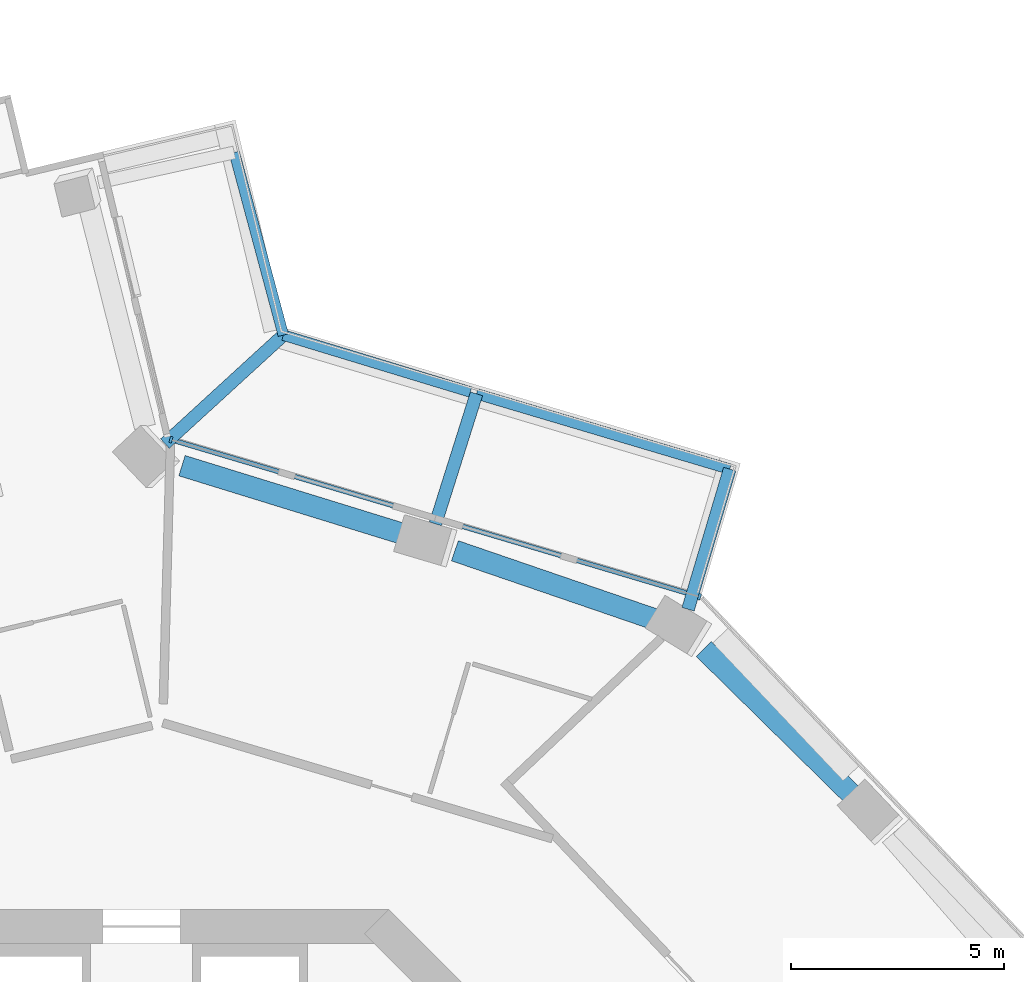
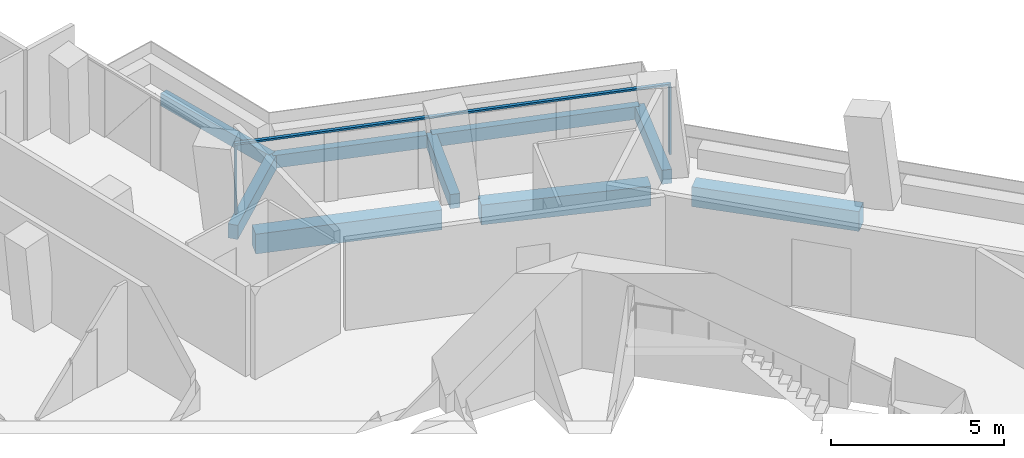
# One storey, part 10 of 27: 9 beams, 3 members, 1 element without a shape of its own.
"""IFC4 building model written with IfcOpenShell, lengths in metres."""

from ifc_helpers import new_model, si_unit, direction, frame, origin, origin_2d, place, context, subcontext, project, spatial, rectangle, extrude, material, layer, layer_set, material_profile, profile_set, type_object, element, aggregate, save


model = new_model("IFC4")

# Units and contexts
model_context = context("Model", 3, precision=1e-05, world=origin(), true_north=direction((0.0, 1.0)))
body_context = subcontext(model_context, "Body", "Model", "MODEL_VIEW")
ifc_project = project(units=[si_unit("LENGTHUNIT", "METRE"), si_unit("AREAUNIT", "SQUARE_METRE"), si_unit("VOLUMEUNIT", "CUBIC_METRE"), si_unit("PLANEANGLEUNIT", "RADIAN"), si_unit("MASSUNIT", "GRAM", prefix="KILO")], contexts=[model_context])

# Site, building, storey
site_placement = place(None, origin())
site = spatial("IfcSite", under=ifc_project, at=site_placement, CompositionType="ELEMENT")
building_placement = place(site_placement, origin())
building = spatial("IfcBuilding", under=site, at=building_placement, Name="Verdalira Terraces Hotel", CompositionType="ELEMENT")
storey_placement = place(building_placement, frame((0.0, 0.0, 89.5)))
storey = spatial("IfcBuildingStorey", under=building, at=storey_placement, Name="L20", CompositionType="ELEMENT", Elevation=89.5)

# Beams
ifc_material_1 = material(Name="Concrete C40", Category="concrete")
ifc_material_profile_1 = material_profile(ifc_material_1, rectangle(XDim=0.300049, YDim=0.5, at=origin_2d()), Name="RC 300X500")
ifc_profile_set_1 = profile_set([ifc_material_profile_1], Name="Concrete C40")
beam_type_1 = type_object("IfcBeamType", Name="Balcony cantilever beam RC 300X500 C40", PredefinedType="BEAM", material=ifc_profile_set_1)
beam_1_placement = place(storey_placement, frame((12.826172, 21.043945, -0.560059), z_axis=(0.285003835, 0.958526376, 0.0), x_axis=(-0.958526376, 0.285003835, 0.0)))
element("IfcBeam", 1, at=beam_1_placement, inside=storey, type_object=beam_type_1, Name="Balcony cantilever beam R41-1", PredefinedType="BEAM", context=body_context, shape_type="SweptSolid", body=[
    extrude(rectangle(XDim=0.300049, YDim=0.5, at=origin_2d()), origin(), (0.0, 0.0, 1.0), 3.431641),
])
beam_2_placement = place(storey_placement, frame((6.897705, 23.048096, -0.560059), z_axis=(0.301062008, 0.953604566, 0.0), x_axis=(-0.953604566, 0.301062008, 0.0)))
element("IfcBeam", 2, at=beam_2_placement, inside=storey, type_object=beam_type_1, Name="Balcony cantilever beam R41-2", PredefinedType="BEAM", context=body_context, shape_type="SweptSolid", body=[
    extrude(rectangle(XDim=0.300049, YDim=0.5, at=origin_2d()), origin(), (0.0, 0.0, 1.0), 3.200684),
])
beam_3_placement = place(storey_placement, frame((0.549072, 24.931641, -0.560059), z_axis=(0.737508885, 0.67533743, 0.0), x_axis=(-0.67533743, 0.737508885, 0.0)))
element("IfcBeam", 3, at=beam_3_placement, inside=storey, type_object=beam_type_1, Name="Balcony cantilever beam R41-3", PredefinedType="BEAM", context=body_context, shape_type="SweptSolid", body=[
    extrude(rectangle(XDim=0.300049, YDim=0.5, at=origin_2d()), origin(), (0.0, 0.0, 1.0), 3.769775),
])
ifc_material_2 = material(Name="Concrete C40", Category="concrete")
ifc_material_profile_2 = material_profile(ifc_material_2, rectangle(XDim=0.25, YDim=0.449951, at=origin_2d()), Name="RC 250X450")
ifc_profile_set_2 = profile_set([ifc_material_profile_2], Name="Concrete C40")
beam_type_2 = type_object("IfcBeamType", Name="Balcony edge beam RC 250X450 C40", PredefinedType="BEAM", material=ifc_profile_set_2)
beam_4_placement = place(storey_placement, frame((13.804199, 24.333252, -0.534912), z_axis=(-0.958523564, 0.285013292, 0.0), x_axis=(-0.285013292, -0.958523564, 0.0)))
element("IfcBeam", 4, at=beam_4_placement, inside=storey, type_object=beam_type_2, Name="Balcony edge beam R41-1", PredefinedType="BEAM", context=body_context, shape_type="SweptSolid", body=[
    extrude(rectangle(XDim=0.25, YDim=0.449951, at=origin_2d()), origin(), (0.0, 0.0, 1.0), 6.199951),
])
beam_5_placement = place(storey_placement, frame((7.717773, 26.143799, -0.534912), z_axis=(-0.956787264, 0.290788808, 0.0), x_axis=(-0.290788808, -0.956787264, 0.0)))
element("IfcBeam", 5, at=beam_5_placement, inside=storey, type_object=beam_type_2, Name="Balcony edge beam R41-2", PredefinedType="BEAM", context=body_context, shape_type="SweptSolid", body=[
    extrude(rectangle(XDim=0.25, YDim=0.449951, at=origin_2d()), origin(), (0.0, 0.0, 1.0), 4.58667),
])
beam_6_placement = place(storey_placement, frame((3.329346, 27.477539, -0.534912), z_axis=(-0.259667786, 0.965698007, 0.0), x_axis=(-0.965698007, -0.259667786, 0.0)))
element("IfcBeam", 6, at=beam_6_placement, inside=storey, type_object=beam_type_2, Name="Balcony edge beam R41-3", PredefinedType="BEAM", context=body_context, shape_type="SweptSolid", body=[
    extrude(rectangle(XDim=0.25, YDim=0.449951, at=origin_2d()), origin(), (0.0, 0.0, 1.0), 4.439697),
])

# Curtain wall, members
ifc_material_3 = material(Name="Clear glass", Category="glass")
ifc_layer = layer(ifc_material_3, 0.14990234375)
ifc_layer_set = layer_set([ifc_layer], Name="CW1 curtain wall")
curtain_wall_type = type_object("IfcCurtainWallType", Name="CW1 curtain wall", PredefinedType="NOTDEFINED", material=ifc_layer_set)
curtain_wall_placement = place(storey_placement, origin())
curtain_wall = element("IfcCurtainWall", 7, at=curtain_wall_placement, inside=storey, type_object=curtain_wall_type, Name="CW1 curtain wall L20 edge 41", PredefinedType="NOTDEFINED")
ifc_material_4 = material(Name="Terracotta frame", Category="masonry")
ifc_material_profile_3 = material_profile(ifc_material_4, rectangle(XDim=0.060059, YDim=0.149902, at=origin_2d()), Name="MU 60x150")
ifc_profile_set_3 = profile_set([ifc_material_profile_3], Name="Terracotta frame")
member_type_1 = type_object("IfcMemberType", Name="CW1 mullion 60x150", PredefinedType="MULLION", material=ifc_profile_set_3)
member_1_placement = place(storey_placement, frame((13.094238, 21.336182, 0.0), z_axis=(0.0, 0.0, 1.0), x_axis=(-0.958521789, 0.285019262, 0.0)))
member_1 = element("IfcMember", 8, at=member_1_placement, type_object=member_type_1, Name="CW1 mullion", PredefinedType="MULLION", context=body_context, shape_type="SweptSolid", body=[
    extrude(rectangle(XDim=0.060059, YDim=0.149902, at=origin_2d()), origin(), (0.0, 0.0, 1.0), 2.425049),
])
member_2_placement = place(storey_placement, frame((0.691162, 25.024414, 0.0), z_axis=(0.0, 0.0, 1.0), x_axis=(-0.958521789, 0.285019262, 0.0)))
member_2 = element("IfcMember", 9, at=member_2_placement, type_object=member_type_1, Name="CW1 mullion", PredefinedType="MULLION", context=body_context, shape_type="SweptSolid", body=[
    extrude(rectangle(XDim=0.060059, YDim=0.149902, at=origin_2d()), origin(), (0.0, 0.0, 1.0), 2.425049),
])
ifc_material_5 = material(Name="Terracotta frame", Category="masonry")
ifc_material_profile_4 = material_profile(ifc_material_5, rectangle(XDim=0.110107, YDim=0.064941, at=origin_2d()), Name="TR 65x110")
ifc_profile_set_4 = profile_set([ifc_material_profile_4], Name="Terracotta frame")
member_type_2 = type_object("IfcMemberType", Name="CW1 transom 65x110", PredefinedType="USERDEFINED", material=ifc_profile_set_4)
member_3_placement = place(storey_placement, frame((13.123047, 21.327637, 2.45752), z_axis=(-0.958519717, 0.28502623, 0.0), x_axis=(-0.28502623, -0.958519717, 0.0)))
member_3 = element("IfcMember", 10, at=member_3_placement, type_object=member_type_2, Name="CW1 transom", ObjectType="TRANSOM", PredefinedType="USERDEFINED", context=body_context, shape_type="SweptSolid", body=[
    extrude(rectangle(XDim=0.110107, YDim=0.064941, at=origin_2d()), origin(), (0.0, 0.0, 1.0), 13.0),
])
aggregate(curtain_wall, [member_1, member_2, member_3])

# Beams
ifc_material_6 = material(Name="Concrete C70", Category="concrete")
ifc_material_profile_5 = material_profile(ifc_material_6, rectangle(XDim=0.5, YDim=0.699951, at=origin_2d()), Name="RC 500X700")
ifc_profile_set_5 = profile_set([ifc_material_profile_5], Name="Concrete C70")
beam_type_3 = type_object("IfcBeamType", Name="Spandrel beam RC 500X700 C70", PredefinedType="SPANDREL", material=ifc_profile_set_5)
beam_7_placement = place(storey_placement, frame((16.766846, 16.597656, -0.659912), z_axis=(-0.712710292, 0.701458509, 0.0), x_axis=(-0.701458509, -0.712710292, 0.0)))
element("IfcBeam", 11, at=beam_7_placement, inside=storey, type_object=beam_type_3, Name="Spandrel beam B27", PredefinedType="SPANDREL", context=body_context, shape_type="SweptSolid", body=[
    extrude(rectangle(XDim=0.5, YDim=0.699951, at=origin_2d()), origin(), (0.0, 0.0, 1.0), 5.012207),
])
beam_8_placement = place(storey_placement, frame((12.098389, 20.789551, -0.659912), z_axis=(-0.945887046, 0.324496065, 0.0), x_axis=(-0.324496065, -0.945887046, 0.0)))
element("IfcBeam", 12, at=beam_8_placement, inside=storey, type_object=beam_type_3, Name="Spandrel beam B28", PredefinedType="SPANDREL", context=body_context, shape_type="SweptSolid", body=[
    extrude(rectangle(XDim=0.5, YDim=0.699951, at=origin_2d()), origin(), (0.0, 0.0, 1.0), 5.015381),
])
beam_9_placement = place(storey_placement, frame((6.248047, 22.777588, -0.659912), z_axis=(-0.955475786, 0.29506952, 0.0), x_axis=(-0.29506952, -0.955475786, 0.0)))
element("IfcBeam", 13, at=beam_9_placement, inside=storey, type_object=beam_type_3, Name="Spandrel beam B29", PredefinedType="SPANDREL", context=body_context, shape_type="SweptSolid", body=[
    extrude(rectangle(XDim=0.5, YDim=0.699951, at=origin_2d()), origin(), (0.0, 0.0, 1.0), 5.545166),
])

save(model, "model.ifc")
